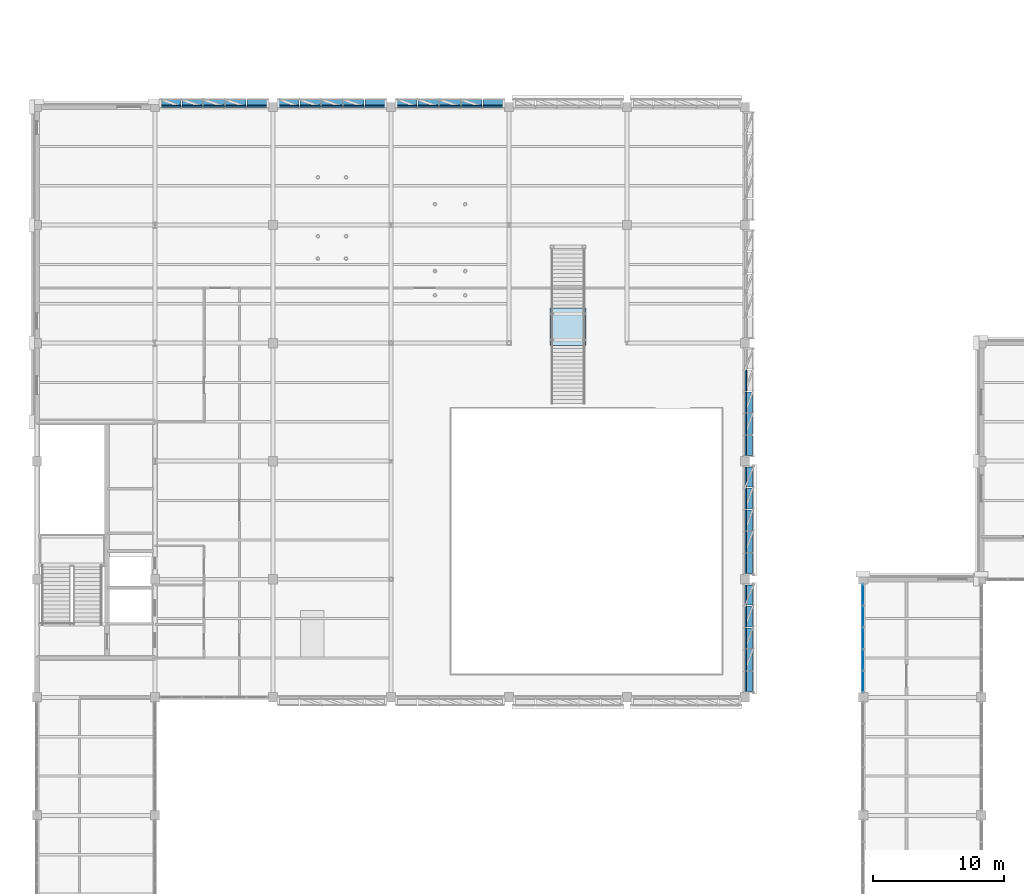
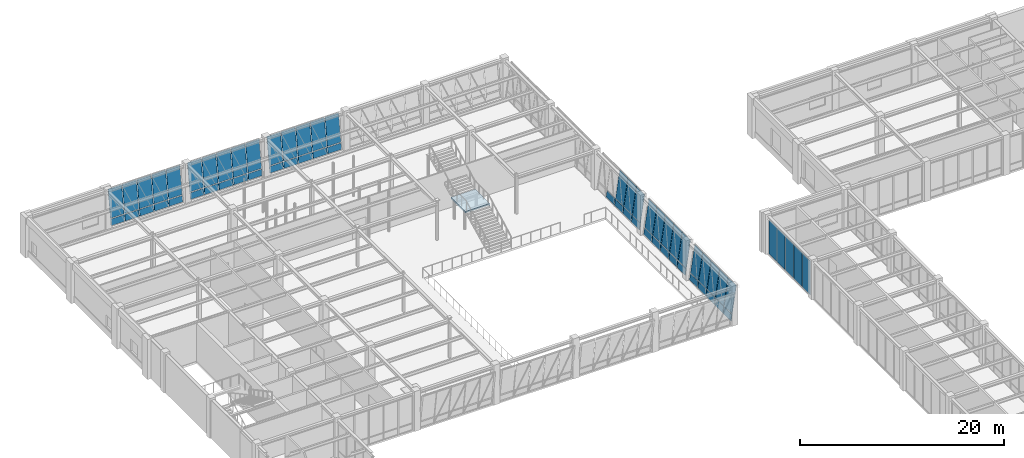
# One storey, part 73 of 92: 62 plates, 1 slab, 8 elements without a shape of their own.
"""IFC4 building model written with IfcOpenShell, lengths in metres."""

import ifcopenshell
import ifcopenshell.guid

model = None  # the IFC model being written
_history = None  # IfcOwnerHistory: only IFC2X3 demands one
_inside = {}  # id of a spatial element -> (the spatial element, [elements in it])
_under = {}  # id of a project, library or spatial element -> (it, [spatial elements below it])
_declared = {}  # id of a project -> (the project, [libraries it declares])
_typed = {}  # id of a type object -> (the type object, [elements of that type])
_made_of = {}  # id of a material, layer set ... -> (it, [elements and type objects made of it])


def new_model(schema):
    """Start an empty IFC model of exactly this schema.

    Asked for "IFC4X3", IfcOpenShell would pick the latest addendum, in which some entities
    have other attributes; the version numbers below select the first issue.
    IFC2X3 requires an IfcOwnerHistory on every rooted entity: one is made here for all.
    """
    global model, _history
    if schema == "IFC4X3":
        model = ifcopenshell.file(schema_version=(4, 3, 0, 0))
    else:
        model = ifcopenshell.file(schema=schema)
    _inside.clear()
    _under.clear()
    _declared.clear()
    _typed.clear()
    _made_of.clear()
    _history = None
    if model.schema == "IFC2X3":
        org = make("IfcOrganization", Name="unknown")
        user = make(
            "IfcPersonAndOrganization",
            ThePerson=make("IfcPerson", FamilyName="unknown"),
            TheOrganization=org,
        )
        app = make(
            "IfcApplication",
            ApplicationDeveloper=org,
            Version="unknown",
            ApplicationFullName="unknown",
            ApplicationIdentifier="unknown",
        )
        _history = make(
            "IfcOwnerHistory",
            OwningUser=user,
            OwningApplication=app,
            ChangeAction="ADDED",
            CreationDate=0,
        )
    return model


def make(cls, **values):
    """One entity of the class cls with the attributes given. An attribute that is None is left unset."""
    return model.create_entity(
        cls, **{name: value for name, value in values.items() if value is not None}
    )


def rooted(cls, **values):
    """An entity with a GlobalId (a new one), such as an element, a storey or a relation."""
    return make(cls, GlobalId=ifcopenshell.guid.new(), OwnerHistory=_history, **values)


def si_unit(unit_type, name, prefix=None):
    """IfcSIUnit, for example si_unit("LENGTHUNIT", "METRE", prefix="MILLI")."""
    return make("IfcSIUnit", UnitType=unit_type, Prefix=prefix, Name=name)


def assignment(units):
    """IfcUnitAssignment: the units of a project."""
    return None if units is None else make("IfcUnitAssignment", Units=units)


def point(xyz):
    """IfcCartesianPoint."""
    return None if xyz is None else make("IfcCartesianPoint", Coordinates=xyz)


def direction(xyz):
    """IfcDirection."""
    return None if xyz is None else make("IfcDirection", DirectionRatios=xyz)


def frame(location, z_axis=None, x_axis=None):
    """IfcAxis2Placement3D, a coordinate frame: its origin and axes. An axis left out is left unset."""
    return make(
        "IfcAxis2Placement3D",
        Location=point(location),
        Axis=direction(z_axis),
        RefDirection=direction(x_axis),
    )


def frame_2d(location, x_axis=None):
    """IfcAxis2Placement2D, a coordinate frame in the plane: its origin and x axis."""
    return make(
        "IfcAxis2Placement2D", Location=point(location), RefDirection=direction(x_axis)
    )


def origin():
    """The frame at (0, 0, 0) with its axes left unset."""
    return frame((0.0, 0.0, 0.0))


def origin_2d():
    """The frame at (0, 0) in the plane with its x axis left unset."""
    return frame_2d((0.0, 0.0))


def place(relative_to, where):
    """IfcLocalPlacement: puts the frame where relative to a parent placement (None: the world)."""
    return make(
        "IfcLocalPlacement", PlacementRelTo=relative_to, RelativePlacement=where
    )


def context(
    kind, dimensions, precision=None, world=None, true_north=None, identifier=None
):
    """IfcGeometricRepresentationContext, for example the 3D "Model" context."""
    return make(
        "IfcGeometricRepresentationContext",
        ContextIdentifier=identifier,
        ContextType=kind,
        CoordinateSpaceDimension=dimensions,
        Precision=precision,
        WorldCoordinateSystem=world,
        TrueNorth=true_north,
    )


def subcontext(parent, identifier, kind, view, scale=None):
    """IfcGeometricRepresentationSubContext, for example "Body" below "Model"."""
    return make(
        "IfcGeometricRepresentationSubContext",
        ContextIdentifier=identifier,
        ContextType=kind,
        ParentContext=parent,
        TargetScale=scale,
        TargetView=view,
    )


def project(units=None, contexts=None):
    """IfcProject with its units and contexts."""
    return rooted(
        "IfcProject",
        Name="project",
        RepresentationContexts=contexts,
        UnitsInContext=assignment(units),
    )


def spatial(cls, under=None, at=None, **own):
    """A site, building, storey or space (cls), placed at a placement, below another one or the project."""
    s = rooted(cls, ObjectPlacement=at, **own)
    if under is not None:
        _under.setdefault(under.id(), (under, []))[1].append(s)
    return s


def polyline(points):
    """IfcPolyline through the points."""
    return make("IfcPolyline", Points=[point(p) for p in points])


def profile(cls, at=None, kind="AREA", **sizes):
    """A parametric profile (cls). Its sizes go by their IFC names, for example OverallWidth=200.0."""
    return make(cls, ProfileType=kind, Position=at, **sizes)


def rectangle(**sizes):
    """IfcRectangleProfileDef."""
    return profile("IfcRectangleProfileDef", **sizes)


def outline(outer, holes=None, kind="AREA"):
    """IfcArbitraryClosedProfileDef: a profile drawn as a closed curve; with holes, ...WithVoids."""
    if holes is None:
        return make("IfcArbitraryClosedProfileDef", ProfileType=kind, OuterCurve=outer)
    return make(
        "IfcArbitraryProfileDefWithVoids",
        ProfileType=kind,
        OuterCurve=outer,
        InnerCurves=holes,
    )


def extrude(swept, where, along, depth):
    """IfcExtrudedAreaSolid: the profile swept, set in the frame where, extruded along a direction by depth."""
    return make(
        "IfcExtrudedAreaSolid",
        SweptArea=swept,
        Position=where,
        ExtrudedDirection=direction(along),
        Depth=depth,
    )


def shape(context_of_items, identifier, shape_type, items):
    """IfcShapeRepresentation: the items that make up one representation, for example the "Body"."""
    return make(
        "IfcShapeRepresentation",
        ContextOfItems=context_of_items,
        RepresentationIdentifier=identifier,
        RepresentationType=shape_type,
        Items=items,
    )


def material(Name=None, Category=None):
    """IfcMaterial."""
    return make("IfcMaterial", Name=Name, Category=Category)


def layer(
    of_material, thickness, ventilated=None, Name=None, Category=None, Priority=None
):
    """IfcMaterialLayer: one layer of a wall or slab, of a material (None: an air gap)."""
    return make(
        "IfcMaterialLayer",
        Material=of_material,
        LayerThickness=thickness,
        IsVentilated=ventilated,
        Name=Name,
        Category=Category,
        Priority=Priority,
    )


def layer_set(layers, Name=None):
    """IfcMaterialLayerSet."""
    return make("IfcMaterialLayerSet", MaterialLayers=layers, LayerSetName=Name)


def made_of(thing, what):
    """Note that an element or type object is made of a material, layer set ...; save() writes the relation."""
    if what is not None:
        _made_of.setdefault(what.id(), (what, []))[1].append(thing)
    return thing


def type_object(cls, material=None, **own):
    """A type object (cls), such as IfcWallType, which elements share."""
    return made_of(rooted(cls, **own), material)


def element(
    cls,
    number,
    at=None,
    inside=None,
    cuts=None,
    type_object=None,
    material=None,
    context=None,
    identifier="Body",
    shape_type=None,
    held_by="IfcProductDefinitionShape",
    body=None,
    shapes=None,
    **own,
):
    """One element of the class cls, such as IfcWall. Its Tag is "e" and its number.

    at: its placement. inside: the storey or other place that contains it. cuts: it is an
    opening in that element (IfcRelVoidsElement). A single representation is given by context,
    identifier, shape_type and body (its items); several are given by shapes. held_by: the class
    of the entity that holds the representations. save() writes the other relations.
    """
    e = rooted(cls, Tag="e%d" % number, ObjectPlacement=at, **own)
    if body is not None:
        shapes = [shape(context, identifier, shape_type, body)]
    if shapes is not None:
        e.Representation = make(held_by, Representations=shapes)
    if inside is not None:
        _inside.setdefault(inside.id(), (inside, []))[1].append(e)
    if cuts is not None:
        rooted(
            "IfcRelVoidsElement", RelatingBuildingElement=cuts, RelatedOpeningElement=e
        )
    if type_object is not None:
        _typed.setdefault(type_object.id(), (type_object, []))[1].append(e)
    return made_of(e, material)


def aggregate(whole, parts):
    """IfcRelAggregates: a whole, such as a stair, and the parts it consists of."""
    return rooted("IfcRelAggregates", RelatingObject=whole, RelatedObjects=parts)


def save(model, path):
    """Write the relations noted so far, then the file.

    IfcRelAggregates (storeys below a building ...), IfcRelContainedInSpatialStructure (elements
    in a storey), IfcRelDefinesByType, IfcRelAssociatesMaterial and IfcRelDeclares: one each for
    every whole, place, type object, material and project.
    """
    for whole, parts in _under.values():
        aggregate(whole, parts)
    for where, things in _inside.values():
        rooted(
            "IfcRelContainedInSpatialStructure",
            RelatedElements=things,
            RelatingStructure=where,
        )
    for kind, things in _typed.values():
        rooted("IfcRelDefinesByType", RelatedObjects=things, RelatingType=kind)
    for what, things in _made_of.values():
        rooted("IfcRelAssociatesMaterial", RelatedObjects=things, RelatingMaterial=what)
    for by, libraries in _declared.values():
        rooted("IfcRelDeclares", RelatingContext=by, RelatedDefinitions=libraries)
    model.write(path)


model = new_model("IFC4")

# Units and contexts
model_context = context("Model", 3, precision=1e-05, world=origin(), true_north=direction((0.0, 1.0)))
body_context = subcontext(model_context, "Body", "Model", "MODEL_VIEW")
ifc_project = project(units=[si_unit("LENGTHUNIT", "METRE"), si_unit("AREAUNIT", "SQUARE_METRE"), si_unit("VOLUMEUNIT", "CUBIC_METRE"), si_unit("PLANEANGLEUNIT", "RADIAN"), si_unit("MASSUNIT", "GRAM", prefix="KILO")], contexts=[model_context])

# Site, building, storey
site_placement = place(None, origin())
site = spatial("IfcSite", under=ifc_project, at=site_placement, CompositionType="ELEMENT")
building_placement = place(site_placement, origin())
building = spatial("IfcBuilding", under=site, at=building_placement, Name="Lykobir Media Centre", CompositionType="ELEMENT")
storey_placement = place(building_placement, frame((0.0, 0.0, 5.39990234375)))
storey = spatial("IfcBuildingStorey", under=building, at=storey_placement, Name="L01", CompositionType="ELEMENT", Elevation=5.39990234375)

# Curtain wall, plates
ifc_material_1 = material(Name="Anodized Aluminium AW-6060", Category="aluminium")
curtain_wall_type_1 = type_object("IfcCurtainWallType", Name="CW-BRIDGE", PredefinedType="NOTDEFINED", material=ifc_material_1)
curtain_wall_1_placement = place(storey_placement, origin())
curtain_wall_1 = element("IfcCurtainWall", 1, at=curtain_wall_1_placement, inside=storey, type_object=curtain_wall_type_1, Name="Curtain wall CW2-L01-0042", PredefinedType="NOTDEFINED")
ifc_material_2 = material(Name="Low-E Laminated Triple Glazing", Category="glass")
ifc_layer_1 = layer(ifc_material_2, 0.0380859375, Name="Low-E Laminated Triple Glazing")
ifc_layer_set_1 = layer_set([ifc_layer_1], Name="Low-E Laminated Triple Glazing")
plate_type_1 = type_object("IfcPlateType", Name="CWP-GLZ-38", PredefinedType="CURTAIN_PANEL", material=ifc_layer_set_1)
plate_1_placement = place(storey_placement, frame((90.0, 64.2001953125, 0.065185546875), z_axis=(0.0, 0.0, 1.0), x_axis=(0.0, 1.0, 0.0)))
plate_1 = element("IfcPlate", 2, at=plate_1_placement, type_object=plate_type_1, Name="CW2-L01-0042 panel 1.1", PredefinedType="CURTAIN_PANEL", context=body_context, shape_type="SweptSolid", body=[
    extrude(rectangle(XDim=1.560546875, YDim=0.0380859375, at=origin_2d()), origin(), (0.0, 0.0, 1.0), 4.06494140625),
])
plate_2_placement = place(storey_placement, frame((90.0, 65.842041015625, 0.065185546875), z_axis=(0.0, 0.0, 1.0), x_axis=(0.0, 1.0, 0.0)))
plate_2 = element("IfcPlate", 3, at=plate_2_placement, type_object=plate_type_1, Name="CW2-L01-0042 panel 2.1", PredefinedType="CURTAIN_PANEL", context=body_context, shape_type="SweptSolid", body=[
    extrude(rectangle(XDim=1.593017578125, YDim=0.0380859375, at=origin_2d()), origin(), (0.0, 0.0, 1.0), 4.06494140625),
])
plate_3_placement = place(storey_placement, frame((90.0, 67.5, 0.065185546875), z_axis=(0.0, 0.0, 1.0), x_axis=(0.0, 1.0, 0.0)))
plate_3 = element("IfcPlate", 4, at=plate_3_placement, type_object=plate_type_1, Name="CW2-L01-0042 panel 3.1", PredefinedType="CURTAIN_PANEL", context=body_context, shape_type="SweptSolid", body=[
    extrude(rectangle(XDim=1.593017578125, YDim=0.0380859375, at=origin_2d()), origin(), (0.0, 0.0, 1.0), 4.06494140625),
])
plate_4_placement = place(storey_placement, frame((90.0, 69.157958984375, 0.065185546875), z_axis=(0.0, 0.0, 1.0), x_axis=(0.0, 1.0, 0.0)))
plate_4 = element("IfcPlate", 5, at=plate_4_placement, type_object=plate_type_1, Name="CW2-L01-0042 panel 4.1", PredefinedType="CURTAIN_PANEL", context=body_context, shape_type="SweptSolid", body=[
    extrude(rectangle(XDim=1.593017578125, YDim=0.0380859375, at=origin_2d()), origin(), (0.0, 0.0, 1.0), 4.06494140625),
])
plate_5_placement = place(storey_placement, frame((90.0, 70.7998046875, 0.065185546875), z_axis=(0.0, 0.0, 1.0), x_axis=(0.0, 1.0, 0.0)))
plate_5 = element("IfcPlate", 6, at=plate_5_placement, type_object=plate_type_1, Name="CW2-L01-0042 panel 5.1", PredefinedType="CURTAIN_PANEL", context=body_context, shape_type="SweptSolid", body=[
    extrude(rectangle(XDim=1.560546875, YDim=0.0380859375, at=origin_2d()), origin(), (0.0, 0.0, 1.0), 4.06494140625),
])
aggregate(curtain_wall_1, [plate_1, plate_2, plate_3, plate_4, plate_5])

curtain_wall_type_2 = type_object("IfcCurtainWallType", Name="CW-V6-CR1", PredefinedType="NOTDEFINED", material=ifc_material_1)
curtain_wall_2_placement = place(storey_placement, origin())
curtain_wall_2 = element("IfcCurtainWall", 7, at=curtain_wall_2_placement, inside=storey, type_object=curtain_wall_type_2, Name="Curtain wall CW2-L01-0058", PredefinedType="NOTDEFINED")
ifc_layer_2 = layer(ifc_material_2, 0.0439453125, Name="Low-E Laminated Triple Glazing")
ifc_layer_set_2 = layer_set([ifc_layer_2], Name="Low-E Laminated Triple Glazing")
plate_type_2 = type_object("IfcPlateType", Name="CWP-GLZ-44", PredefinedType="CURTAIN_PANEL", material=ifc_layer_set_2)
plate_6_placement = place(storey_placement, frame((81.126708984375, 64.20263671875, 0.87841796875), z_axis=(0.142628933706, 0.0, 0.989776230908), x_axis=(0.0, 1.0, 0.0)))
plate_6 = element("IfcPlate", 8, at=plate_6_placement, type_object=plate_type_2, Name="CW2-L01-0058 panel 1.2", PredefinedType="CURTAIN_PANEL", context=body_context, shape_type="SweptSolid", body=[
    extrude(rectangle(XDim=1.54541015625, YDim=0.0439453125, at=origin_2d()), origin(), (0.0, 0.0, 1.0), 3.27587890625),
])
plate_7_placement = place(storey_placement, frame((81.126708984375, 65.842041015625, 0.87841796875), z_axis=(0.142628933706, 0.0, 0.989776230908), x_axis=(0.0, 1.0, 0.0)))
plate_7 = element("IfcPlate", 9, at=plate_7_placement, type_object=plate_type_2, Name="CW2-L01-0058 panel 2.2", PredefinedType="CURTAIN_PANEL", context=body_context, shape_type="SweptSolid", body=[
    extrude(rectangle(XDim=1.5830078125, YDim=0.0439453125, at=origin_2d()), origin(), (0.0, 0.0, 1.0), 3.27587890625),
])
plate_8_placement = place(storey_placement, frame((81.126708984375, 67.5, 0.87841796875), z_axis=(0.142628933706, 0.0, 0.989776230908), x_axis=(0.0, 1.0, 0.0)))
plate_8 = element("IfcPlate", 10, at=plate_8_placement, type_object=plate_type_2, Name="CW2-L01-0058 panel 3.2", PredefinedType="CURTAIN_PANEL", context=body_context, shape_type="SweptSolid", body=[
    extrude(rectangle(XDim=1.5830078125, YDim=0.0439453125, at=origin_2d()), origin(), (0.0, 0.0, 1.0), 3.27587890625),
])
plate_9_placement = place(storey_placement, frame((81.126708984375, 69.157958984375, 0.87841796875), z_axis=(0.142628933706, 0.0, 0.989776230908), x_axis=(0.0, 1.0, 0.0)))
plate_9 = element("IfcPlate", 11, at=plate_9_placement, type_object=plate_type_2, Name="CW2-L01-0058 panel 4.2", PredefinedType="CURTAIN_PANEL", context=body_context, shape_type="SweptSolid", body=[
    extrude(rectangle(XDim=1.5830078125, YDim=0.0439453125, at=origin_2d()), origin(), (0.0, 0.0, 1.0), 3.27587890625),
])
plate_10_placement = place(storey_placement, frame((81.126708984375, 70.797119140625, 0.87841796875), z_axis=(0.142628933706, 0.0, 0.989776230908), x_axis=(0.0, 1.0, 0.0)))
plate_10 = element("IfcPlate", 12, at=plate_10_placement, type_object=plate_type_2, Name="CW2-L01-0058 panel 5.2", PredefinedType="CURTAIN_PANEL", context=body_context, shape_type="SweptSolid", body=[
    extrude(rectangle(XDim=1.54541015625, YDim=0.0439453125, at=origin_2d()), origin(), (0.0, 0.0, 1.0), 3.27587890625),
])

curtain_wall_3_placement = place(storey_placement, origin())
curtain_wall_3 = element("IfcCurtainWall", 13, at=curtain_wall_3_placement, inside=storey, type_object=curtain_wall_type_2, Name="Curtain wall CW2-L01-0059", PredefinedType="NOTDEFINED")
plate_11_placement = place(storey_placement, frame((81.126708984375, 73.202880859375, 0.87841796875), z_axis=(0.142628933706, 0.0, 0.989776230908), x_axis=(0.0, 1.0, 0.0)))
plate_11 = element("IfcPlate", 14, at=plate_11_placement, type_object=plate_type_2, Name="CW2-L01-0059 panel 1.2", PredefinedType="CURTAIN_PANEL", context=body_context, shape_type="SweptSolid", body=[
    extrude(rectangle(XDim=1.54541015625, YDim=0.0439453125, at=origin_2d()), origin(), (0.0, 0.0, 1.0), 3.27587890625),
])
plate_12_placement = place(storey_placement, frame((81.126708984375, 74.842041015625, 0.87841796875), z_axis=(0.142628933706, 0.0, 0.989776230908), x_axis=(0.0, 1.0, 0.0)))
plate_12 = element("IfcPlate", 15, at=plate_12_placement, type_object=plate_type_2, Name="CW2-L01-0059 panel 2.2", PredefinedType="CURTAIN_PANEL", context=body_context, shape_type="SweptSolid", body=[
    extrude(rectangle(XDim=1.5830078125, YDim=0.0439453125, at=origin_2d()), origin(), (0.0, 0.0, 1.0), 3.27587890625),
])
plate_13_placement = place(storey_placement, frame((81.126708984375, 76.5, 0.87841796875), z_axis=(0.142628933706, 0.0, 0.989776230908), x_axis=(0.0, 1.0, 0.0)))
plate_13 = element("IfcPlate", 16, at=plate_13_placement, type_object=plate_type_2, Name="CW2-L01-0059 panel 3.2", PredefinedType="CURTAIN_PANEL", context=body_context, shape_type="SweptSolid", body=[
    extrude(rectangle(XDim=1.5830078125, YDim=0.0439453125, at=origin_2d()), origin(), (0.0, 0.0, 1.0), 3.27587890625),
])
plate_14_placement = place(storey_placement, frame((81.126708984375, 78.157958984375, 0.87841796875), z_axis=(0.142628933706, 0.0, 0.989776230908), x_axis=(0.0, 1.0, 0.0)))
plate_14 = element("IfcPlate", 17, at=plate_14_placement, type_object=plate_type_2, Name="CW2-L01-0059 panel 4.2", PredefinedType="CURTAIN_PANEL", context=body_context, shape_type="SweptSolid", body=[
    extrude(rectangle(XDim=1.5830078125, YDim=0.0439453125, at=origin_2d()), origin(), (0.0, 0.0, 1.0), 3.27587890625),
])
plate_15_placement = place(storey_placement, frame((81.126708984375, 79.797119140625, 0.87841796875), z_axis=(0.142628933706, 0.0, 0.989776230908), x_axis=(0.0, 1.0, 0.0)))
plate_15 = element("IfcPlate", 18, at=plate_15_placement, type_object=plate_type_2, Name="CW2-L01-0059 panel 5.2", PredefinedType="CURTAIN_PANEL", context=body_context, shape_type="SweptSolid", body=[
    extrude(rectangle(XDim=1.54541015625, YDim=0.0439453125, at=origin_2d()), origin(), (0.0, 0.0, 1.0), 3.27587890625),
])

curtain_wall_4_placement = place(storey_placement, origin())
curtain_wall_4 = element("IfcCurtainWall", 19, at=curtain_wall_4_placement, inside=storey, type_object=curtain_wall_type_2, Name="Curtain wall CW2-L01-0060", PredefinedType="NOTDEFINED")
plate_16_placement = place(storey_placement, frame((81.126708984375, 82.202880859375, 0.87841796875), z_axis=(0.142628933706, 0.0, 0.989776230908), x_axis=(0.0, 1.0, 0.0)))
plate_16 = element("IfcPlate", 20, at=plate_16_placement, type_object=plate_type_2, Name="CW2-L01-0060 panel 1.2", PredefinedType="CURTAIN_PANEL", context=body_context, shape_type="SweptSolid", body=[
    extrude(rectangle(XDim=1.54541015625, YDim=0.0439453125, at=origin_2d()), origin(), (0.0, 0.0, 1.0), 3.27587890625),
])
plate_17_placement = place(storey_placement, frame((81.126708984375, 83.842041015625, 0.87841796875), z_axis=(0.142628933706, 0.0, 0.989776230908), x_axis=(0.0, 1.0, 0.0)))
plate_17 = element("IfcPlate", 21, at=plate_17_placement, type_object=plate_type_2, Name="CW2-L01-0060 panel 2.2", PredefinedType="CURTAIN_PANEL", context=body_context, shape_type="SweptSolid", body=[
    extrude(rectangle(XDim=1.5830078125, YDim=0.0439453125, at=origin_2d()), origin(), (0.0, 0.0, 1.0), 3.27587890625),
])
plate_18_placement = place(storey_placement, frame((81.126708984375, 85.5, 0.87841796875), z_axis=(0.142628933706, 0.0, 0.989776230908), x_axis=(0.0, 1.0, 0.0)))
plate_18 = element("IfcPlate", 22, at=plate_18_placement, type_object=plate_type_2, Name="CW2-L01-0060 panel 3.2", PredefinedType="CURTAIN_PANEL", context=body_context, shape_type="SweptSolid", body=[
    extrude(rectangle(XDim=1.5830078125, YDim=0.0439453125, at=origin_2d()), origin(), (0.0, 0.0, 1.0), 3.27587890625),
])

curtain_wall_5_placement = place(storey_placement, origin())
curtain_wall_5 = element("IfcCurtainWall", 23, at=curtain_wall_5_placement, inside=storey, type_object=curtain_wall_type_2, Name="Curtain wall CW2-L01-0063", PredefinedType="NOTDEFINED")
plate_19_placement = place(storey_placement, frame((43.79736328125, 108.126708984375, 0.87841796875), z_axis=(0.0, 0.142628933706, 0.989776230908), x_axis=(-1.0, 0.0, 0.0)))
plate_19 = element("IfcPlate", 24, at=plate_19_placement, type_object=plate_type_2, Name="CW2-L01-0063 panel 1.2", PredefinedType="CURTAIN_PANEL", context=body_context, shape_type="SweptSolid", body=[
    extrude(rectangle(XDim=1.54541015625, YDim=0.0439453125, at=origin_2d()), origin(), (0.0, 0.0, 1.0), 3.27587890625),
])
plate_20_placement = place(storey_placement, frame((42.157958984375, 108.126708984375, 0.87841796875), z_axis=(0.0, 0.142628933706, 0.989776230908), x_axis=(-1.0, 0.0, 0.0)))
plate_20 = element("IfcPlate", 25, at=plate_20_placement, type_object=plate_type_2, Name="CW2-L01-0063 panel 2.2", PredefinedType="CURTAIN_PANEL", context=body_context, shape_type="SweptSolid", body=[
    extrude(rectangle(XDim=1.5830078125, YDim=0.0439453125, at=origin_2d()), origin(), (0.0, 0.0, 1.0), 3.27587890625),
])
plate_21_placement = place(storey_placement, frame((40.5, 108.126708984375, 0.87841796875), z_axis=(0.0, 0.142628933706, 0.989776230908), x_axis=(-1.0, 0.0, 0.0)))
plate_21 = element("IfcPlate", 26, at=plate_21_placement, type_object=plate_type_2, Name="CW2-L01-0063 panel 3.2", PredefinedType="CURTAIN_PANEL", context=body_context, shape_type="SweptSolid", body=[
    extrude(rectangle(XDim=1.5830078125, YDim=0.0439453125, at=origin_2d()), origin(), (0.0, 0.0, 1.0), 3.27587890625),
])
plate_22_placement = place(storey_placement, frame((38.842041015625, 108.126708984375, 0.87841796875), z_axis=(0.0, 0.142628933706, 0.989776230908), x_axis=(-1.0, 0.0, 0.0)))
plate_22 = element("IfcPlate", 27, at=plate_22_placement, type_object=plate_type_2, Name="CW2-L01-0063 panel 4.2", PredefinedType="CURTAIN_PANEL", context=body_context, shape_type="SweptSolid", body=[
    extrude(rectangle(XDim=1.5830078125, YDim=0.0439453125, at=origin_2d()), origin(), (0.0, 0.0, 1.0), 3.27587890625),
])
plate_23_placement = place(storey_placement, frame((37.20263671875, 108.126708984375, 0.87841796875), z_axis=(0.0, 0.142628933706, 0.989776230908), x_axis=(-1.0, 0.0, 0.0)))
plate_23 = element("IfcPlate", 28, at=plate_23_placement, type_object=plate_type_2, Name="CW2-L01-0063 panel 5.2", PredefinedType="CURTAIN_PANEL", context=body_context, shape_type="SweptSolid", body=[
    extrude(rectangle(XDim=1.54541015625, YDim=0.0439453125, at=origin_2d()), origin(), (0.0, 0.0, 1.0), 3.27587890625),
])

curtain_wall_6_placement = place(storey_placement, origin())
curtain_wall_6 = element("IfcCurtainWall", 29, at=curtain_wall_6_placement, inside=storey, type_object=curtain_wall_type_2, Name="Curtain wall CW2-L01-0064", PredefinedType="NOTDEFINED")
plate_24_placement = place(storey_placement, frame((52.79736328125, 108.126708984375, 0.87841796875), z_axis=(0.0, 0.142628933706, 0.989776230908), x_axis=(-1.0, 0.0, 0.0)))
plate_24 = element("IfcPlate", 30, at=plate_24_placement, type_object=plate_type_2, Name="CW2-L01-0064 panel 1.2", PredefinedType="CURTAIN_PANEL", context=body_context, shape_type="SweptSolid", body=[
    extrude(rectangle(XDim=1.54541015625, YDim=0.0439453125, at=origin_2d()), origin(), (0.0, 0.0, 1.0), 3.27587890625),
])
plate_25_placement = place(storey_placement, frame((51.157958984375, 108.126708984375, 0.87841796875), z_axis=(0.0, 0.142628933706, 0.989776230908), x_axis=(-1.0, 0.0, 0.0)))
plate_25 = element("IfcPlate", 31, at=plate_25_placement, type_object=plate_type_2, Name="CW2-L01-0064 panel 2.2", PredefinedType="CURTAIN_PANEL", context=body_context, shape_type="SweptSolid", body=[
    extrude(rectangle(XDim=1.5830078125, YDim=0.0439453125, at=origin_2d()), origin(), (0.0, 0.0, 1.0), 3.27587890625),
])
plate_26_placement = place(storey_placement, frame((49.5, 108.126708984375, 0.87841796875), z_axis=(0.0, 0.142628933706, 0.989776230908), x_axis=(-1.0, 0.0, 0.0)))
plate_26 = element("IfcPlate", 32, at=plate_26_placement, type_object=plate_type_2, Name="CW2-L01-0064 panel 3.2", PredefinedType="CURTAIN_PANEL", context=body_context, shape_type="SweptSolid", body=[
    extrude(rectangle(XDim=1.5830078125, YDim=0.0439453125, at=origin_2d()), origin(), (0.0, 0.0, 1.0), 3.27587890625),
])
plate_27_placement = place(storey_placement, frame((47.842041015625, 108.126708984375, 0.87841796875), z_axis=(0.0, 0.142628933706, 0.989776230908), x_axis=(-1.0, 0.0, 0.0)))
plate_27 = element("IfcPlate", 33, at=plate_27_placement, type_object=plate_type_2, Name="CW2-L01-0064 panel 4.2", PredefinedType="CURTAIN_PANEL", context=body_context, shape_type="SweptSolid", body=[
    extrude(rectangle(XDim=1.5830078125, YDim=0.0439453125, at=origin_2d()), origin(), (0.0, 0.0, 1.0), 3.27587890625),
])
plate_28_placement = place(storey_placement, frame((46.20263671875, 108.126708984375, 0.87841796875), z_axis=(0.0, 0.142628933706, 0.989776230908), x_axis=(-1.0, 0.0, 0.0)))
plate_28 = element("IfcPlate", 34, at=plate_28_placement, type_object=plate_type_2, Name="CW2-L01-0064 panel 5.2", PredefinedType="CURTAIN_PANEL", context=body_context, shape_type="SweptSolid", body=[
    extrude(rectangle(XDim=1.54541015625, YDim=0.0439453125, at=origin_2d()), origin(), (0.0, 0.0, 1.0), 3.27587890625),
])

curtain_wall_7_placement = place(storey_placement, origin())
curtain_wall_7 = element("IfcCurtainWall", 35, at=curtain_wall_7_placement, inside=storey, type_object=curtain_wall_type_2, Name="Curtain wall CW2-L01-0065", PredefinedType="NOTDEFINED")
plate_29_placement = place(storey_placement, frame((61.79736328125, 108.126708984375, 0.87841796875), z_axis=(0.0, 0.142628933706, 0.989776230908), x_axis=(-1.0, 0.0, 0.0)))
plate_29 = element("IfcPlate", 36, at=plate_29_placement, type_object=plate_type_2, Name="CW2-L01-0065 panel 1.2", PredefinedType="CURTAIN_PANEL", context=body_context, shape_type="SweptSolid", body=[
    extrude(rectangle(XDim=1.54541015625, YDim=0.0439453125, at=origin_2d()), origin(), (0.0, 0.0, 1.0), 3.27587890625),
])
plate_30_placement = place(storey_placement, frame((60.157958984375, 108.126708984375, 0.87841796875), z_axis=(0.0, 0.142628933706, 0.989776230908), x_axis=(-1.0, 0.0, 0.0)))
plate_30 = element("IfcPlate", 37, at=plate_30_placement, type_object=plate_type_2, Name="CW2-L01-0065 panel 2.2", PredefinedType="CURTAIN_PANEL", context=body_context, shape_type="SweptSolid", body=[
    extrude(rectangle(XDim=1.5830078125, YDim=0.0439453125, at=origin_2d()), origin(), (0.0, 0.0, 1.0), 3.27587890625),
])
plate_31_placement = place(storey_placement, frame((58.5, 108.126708984375, 0.87841796875), z_axis=(0.0, 0.142628933706, 0.989776230908), x_axis=(-1.0, 0.0, 0.0)))
plate_31 = element("IfcPlate", 38, at=plate_31_placement, type_object=plate_type_2, Name="CW2-L01-0065 panel 3.2", PredefinedType="CURTAIN_PANEL", context=body_context, shape_type="SweptSolid", body=[
    extrude(rectangle(XDim=1.5830078125, YDim=0.0439453125, at=origin_2d()), origin(), (0.0, 0.0, 1.0), 3.27587890625),
])
plate_32_placement = place(storey_placement, frame((56.842041015625, 108.126708984375, 0.87841796875), z_axis=(0.0, 0.142628933706, 0.989776230908), x_axis=(-1.0, 0.0, 0.0)))
plate_32 = element("IfcPlate", 39, at=plate_32_placement, type_object=plate_type_2, Name="CW2-L01-0065 panel 4.2", PredefinedType="CURTAIN_PANEL", context=body_context, shape_type="SweptSolid", body=[
    extrude(rectangle(XDim=1.5830078125, YDim=0.0439453125, at=origin_2d()), origin(), (0.0, 0.0, 1.0), 3.27587890625),
])
plate_33_placement = place(storey_placement, frame((55.20263671875, 108.126708984375, 0.87841796875), z_axis=(0.0, 0.142628933706, 0.989776230908), x_axis=(-1.0, 0.0, 0.0)))
plate_33 = element("IfcPlate", 40, at=plate_33_placement, type_object=plate_type_2, Name="CW2-L01-0065 panel 5.2", PredefinedType="CURTAIN_PANEL", context=body_context, shape_type="SweptSolid", body=[
    extrude(rectangle(XDim=1.54541015625, YDim=0.0439453125, at=origin_2d()), origin(), (0.0, 0.0, 1.0), 3.27587890625),
])

# Plate
ifc_material_3 = material(Name="Glazed Turquoise Terracotta", Category="masonry")
ifc_layer_3 = layer(ifc_material_3, 0.06005859375, Name="Glazed Turquoise Terracotta")
ifc_layer_set_3 = layer_set([ifc_layer_3], Name="Glazed Turquoise Terracotta")
plate_type_3 = type_object("IfcPlateType", Name="CWP-SPN-60", PredefinedType="CURTAIN_PANEL", material=ifc_layer_set_3)
plate_34_placement = place(storey_placement, frame((81.0107421875, 64.20263671875, 0.07421875), z_axis=(0.142628933706, 0.0, 0.989776230908), x_axis=(0.0, 1.0, 0.0)))
plate_34 = element("IfcPlate", 41, at=plate_34_placement, type_object=plate_type_3, Name="CW2-L01-0058 panel 1.1", PredefinedType="CURTAIN_PANEL", context=body_context, shape_type="SweptSolid", body=[
    extrude(rectangle(XDim=1.54541015625, YDim=0.06005859375, at=origin_2d()), origin(), (0.0, 0.0, 1.0), 0.737548828125),
])

plate_35_placement = place(storey_placement, frame((81.0107421875, 65.842041015625, 0.07421875), z_axis=(0.142628933706, 0.0, 0.989776230908), x_axis=(0.0, 1.0, 0.0)))
plate_35 = element("IfcPlate", 42, at=plate_35_placement, type_object=plate_type_3, Name="CW2-L01-0058 panel 2.1", PredefinedType="CURTAIN_PANEL", context=body_context, shape_type="SweptSolid", body=[
    extrude(rectangle(XDim=1.5830078125, YDim=0.06005859375, at=origin_2d()), origin(), (0.0, 0.0, 1.0), 0.737548828125),
])

plate_36_placement = place(storey_placement, frame((81.0107421875, 67.5, 0.07421875), z_axis=(0.142628933706, 0.0, 0.989776230908), x_axis=(0.0, 1.0, 0.0)))
plate_36 = element("IfcPlate", 43, at=plate_36_placement, type_object=plate_type_3, Name="CW2-L01-0058 panel 3.1", PredefinedType="CURTAIN_PANEL", context=body_context, shape_type="SweptSolid", body=[
    extrude(rectangle(XDim=1.5830078125, YDim=0.06005859375, at=origin_2d()), origin(), (0.0, 0.0, 1.0), 0.737548828125),
])

plate_37_placement = place(storey_placement, frame((81.0107421875, 69.157958984375, 0.07421875), z_axis=(0.142628933706, 0.0, 0.989776230908), x_axis=(0.0, 1.0, 0.0)))
plate_37 = element("IfcPlate", 44, at=plate_37_placement, type_object=plate_type_3, Name="CW2-L01-0058 panel 4.1", PredefinedType="CURTAIN_PANEL", context=body_context, shape_type="SweptSolid", body=[
    extrude(rectangle(XDim=1.5830078125, YDim=0.06005859375, at=origin_2d()), origin(), (0.0, 0.0, 1.0), 0.737548828125),
])

plate_38_placement = place(storey_placement, frame((81.0107421875, 70.797119140625, 0.07421875), z_axis=(0.142628933706, 0.0, 0.989776230908), x_axis=(0.0, 1.0, 0.0)))
plate_38 = element("IfcPlate", 45, at=plate_38_placement, type_object=plate_type_3, Name="CW2-L01-0058 panel 5.1", PredefinedType="CURTAIN_PANEL", context=body_context, shape_type="SweptSolid", body=[
    extrude(rectangle(XDim=1.54541015625, YDim=0.06005859375, at=origin_2d()), origin(), (0.0, 0.0, 1.0), 0.737548828125),
])

aggregate(curtain_wall_2, [plate_34, plate_6, plate_35, plate_7, plate_36, plate_8, plate_37, plate_9, plate_38, plate_10])

plate_39_placement = place(storey_placement, frame((81.0107421875, 73.202880859375, 0.07421875), z_axis=(0.142628933706, 0.0, 0.989776230908), x_axis=(0.0, 1.0, 0.0)))
plate_39 = element("IfcPlate", 46, at=plate_39_placement, type_object=plate_type_3, Name="CW2-L01-0059 panel 1.1", PredefinedType="CURTAIN_PANEL", context=body_context, shape_type="SweptSolid", body=[
    extrude(rectangle(XDim=1.54541015625, YDim=0.06005859375, at=origin_2d()), origin(), (0.0, 0.0, 1.0), 0.737548828125),
])

plate_40_placement = place(storey_placement, frame((81.0107421875, 74.842041015625, 0.07421875), z_axis=(0.142628933706, 0.0, 0.989776230908), x_axis=(0.0, 1.0, 0.0)))
plate_40 = element("IfcPlate", 47, at=plate_40_placement, type_object=plate_type_3, Name="CW2-L01-0059 panel 2.1", PredefinedType="CURTAIN_PANEL", context=body_context, shape_type="SweptSolid", body=[
    extrude(rectangle(XDim=1.5830078125, YDim=0.06005859375, at=origin_2d()), origin(), (0.0, 0.0, 1.0), 0.737548828125),
])

plate_41_placement = place(storey_placement, frame((81.0107421875, 76.5, 0.07421875), z_axis=(0.142628933706, 0.0, 0.989776230908), x_axis=(0.0, 1.0, 0.0)))
plate_41 = element("IfcPlate", 48, at=plate_41_placement, type_object=plate_type_3, Name="CW2-L01-0059 panel 3.1", PredefinedType="CURTAIN_PANEL", context=body_context, shape_type="SweptSolid", body=[
    extrude(rectangle(XDim=1.5830078125, YDim=0.06005859375, at=origin_2d()), origin(), (0.0, 0.0, 1.0), 0.737548828125),
])

plate_42_placement = place(storey_placement, frame((81.0107421875, 78.157958984375, 0.07421875), z_axis=(0.142628933706, 0.0, 0.989776230908), x_axis=(0.0, 1.0, 0.0)))
plate_42 = element("IfcPlate", 49, at=plate_42_placement, type_object=plate_type_3, Name="CW2-L01-0059 panel 4.1", PredefinedType="CURTAIN_PANEL", context=body_context, shape_type="SweptSolid", body=[
    extrude(rectangle(XDim=1.5830078125, YDim=0.06005859375, at=origin_2d()), origin(), (0.0, 0.0, 1.0), 0.737548828125),
])

plate_43_placement = place(storey_placement, frame((81.0107421875, 79.797119140625, 0.07421875), z_axis=(0.142628933706, 0.0, 0.989776230908), x_axis=(0.0, 1.0, 0.0)))
plate_43 = element("IfcPlate", 50, at=plate_43_placement, type_object=plate_type_3, Name="CW2-L01-0059 panel 5.1", PredefinedType="CURTAIN_PANEL", context=body_context, shape_type="SweptSolid", body=[
    extrude(rectangle(XDim=1.54541015625, YDim=0.06005859375, at=origin_2d()), origin(), (0.0, 0.0, 1.0), 0.737548828125),
])

aggregate(curtain_wall_3, [plate_39, plate_11, plate_40, plate_12, plate_41, plate_13, plate_42, plate_14, plate_43, plate_15])

plate_44_placement = place(storey_placement, frame((81.0107421875, 82.202880859375, 0.07421875), z_axis=(0.142628933706, 0.0, 0.989776230908), x_axis=(0.0, 1.0, 0.0)))
plate_44 = element("IfcPlate", 51, at=plate_44_placement, type_object=plate_type_3, Name="CW2-L01-0060 panel 1.1", PredefinedType="CURTAIN_PANEL", context=body_context, shape_type="SweptSolid", body=[
    extrude(rectangle(XDim=1.54541015625, YDim=0.06005859375, at=origin_2d()), origin(), (0.0, 0.0, 1.0), 0.737548828125),
])

plate_45_placement = place(storey_placement, frame((81.0107421875, 83.842041015625, 0.07421875), z_axis=(0.142628933706, 0.0, 0.989776230908), x_axis=(0.0, 1.0, 0.0)))
plate_45 = element("IfcPlate", 52, at=plate_45_placement, type_object=plate_type_3, Name="CW2-L01-0060 panel 2.1", PredefinedType="CURTAIN_PANEL", context=body_context, shape_type="SweptSolid", body=[
    extrude(rectangle(XDim=1.5830078125, YDim=0.06005859375, at=origin_2d()), origin(), (0.0, 0.0, 1.0), 0.737548828125),
])

plate_46_placement = place(storey_placement, frame((81.0107421875, 85.5, 0.07421875), z_axis=(0.142628933706, 0.0, 0.989776230908), x_axis=(0.0, 1.0, 0.0)))
plate_46 = element("IfcPlate", 53, at=plate_46_placement, type_object=plate_type_3, Name="CW2-L01-0060 panel 3.1", PredefinedType="CURTAIN_PANEL", context=body_context, shape_type="SweptSolid", body=[
    extrude(rectangle(XDim=1.5830078125, YDim=0.06005859375, at=origin_2d()), origin(), (0.0, 0.0, 1.0), 0.737548828125),
])

plate_47_placement = place(storey_placement, frame((81.0107421875, 87.157958984375, 0.07421875), z_axis=(0.142628933706, 0.0, 0.989776230908), x_axis=(0.0, 1.0, 0.0)))
plate_47 = element("IfcPlate", 54, at=plate_47_placement, type_object=plate_type_3, Name="CW2-L01-0060 panel 4.1", PredefinedType="CURTAIN_PANEL", context=body_context, shape_type="SweptSolid", body=[
    extrude(rectangle(XDim=1.5830078125, YDim=0.06005859375, at=origin_2d()), origin(), (0.0, 0.0, 1.0), 0.737548828125),
])

aggregate(curtain_wall_4, [plate_44, plate_16, plate_45, plate_17, plate_46, plate_18, plate_47])

plate_48_placement = place(storey_placement, frame((43.79736328125, 108.0107421875, 0.07421875), z_axis=(0.0, 0.142628933706, 0.989776230908), x_axis=(-1.0, 0.0, 0.0)))
plate_48 = element("IfcPlate", 55, at=plate_48_placement, type_object=plate_type_3, Name="CW2-L01-0063 panel 1.1", PredefinedType="CURTAIN_PANEL", context=body_context, shape_type="SweptSolid", body=[
    extrude(rectangle(XDim=1.54541015625, YDim=0.06005859375, at=origin_2d()), origin(), (0.0, 0.0, 1.0), 0.737548828125),
])

plate_49_placement = place(storey_placement, frame((42.157958984375, 108.0107421875, 0.07421875), z_axis=(0.0, 0.142628933706, 0.989776230908), x_axis=(-1.0, 0.0, 0.0)))
plate_49 = element("IfcPlate", 56, at=plate_49_placement, type_object=plate_type_3, Name="CW2-L01-0063 panel 2.1", PredefinedType="CURTAIN_PANEL", context=body_context, shape_type="SweptSolid", body=[
    extrude(rectangle(XDim=1.5830078125, YDim=0.06005859375, at=origin_2d()), origin(), (0.0, 0.0, 1.0), 0.737548828125),
])

plate_50_placement = place(storey_placement, frame((40.5, 108.0107421875, 0.07421875), z_axis=(0.0, 0.142628933706, 0.989776230908), x_axis=(-1.0, 0.0, 0.0)))
plate_50 = element("IfcPlate", 57, at=plate_50_placement, type_object=plate_type_3, Name="CW2-L01-0063 panel 3.1", PredefinedType="CURTAIN_PANEL", context=body_context, shape_type="SweptSolid", body=[
    extrude(rectangle(XDim=1.5830078125, YDim=0.06005859375, at=origin_2d()), origin(), (0.0, 0.0, 1.0), 0.737548828125),
])

plate_51_placement = place(storey_placement, frame((38.842041015625, 108.0107421875, 0.07421875), z_axis=(0.0, 0.142628933706, 0.989776230908), x_axis=(-1.0, 0.0, 0.0)))
plate_51 = element("IfcPlate", 58, at=plate_51_placement, type_object=plate_type_3, Name="CW2-L01-0063 panel 4.1", PredefinedType="CURTAIN_PANEL", context=body_context, shape_type="SweptSolid", body=[
    extrude(rectangle(XDim=1.5830078125, YDim=0.06005859375, at=origin_2d()), origin(), (0.0, 0.0, 1.0), 0.737548828125),
])

plate_52_placement = place(storey_placement, frame((37.20263671875, 108.0107421875, 0.07421875), z_axis=(0.0, 0.142628933706, 0.989776230908), x_axis=(-1.0, 0.0, 0.0)))
plate_52 = element("IfcPlate", 59, at=plate_52_placement, type_object=plate_type_3, Name="CW2-L01-0063 panel 5.1", PredefinedType="CURTAIN_PANEL", context=body_context, shape_type="SweptSolid", body=[
    extrude(rectangle(XDim=1.54541015625, YDim=0.06005859375, at=origin_2d()), origin(), (0.0, 0.0, 1.0), 0.737548828125),
])

aggregate(curtain_wall_5, [plate_48, plate_19, plate_49, plate_20, plate_50, plate_21, plate_51, plate_22, plate_52, plate_23])

plate_53_placement = place(storey_placement, frame((52.79736328125, 108.0107421875, 0.07421875), z_axis=(0.0, 0.142628933706, 0.989776230908), x_axis=(-1.0, 0.0, 0.0)))
plate_53 = element("IfcPlate", 60, at=plate_53_placement, type_object=plate_type_3, Name="CW2-L01-0064 panel 1.1", PredefinedType="CURTAIN_PANEL", context=body_context, shape_type="SweptSolid", body=[
    extrude(rectangle(XDim=1.54541015625, YDim=0.06005859375, at=origin_2d()), origin(), (0.0, 0.0, 1.0), 0.737548828125),
])

plate_54_placement = place(storey_placement, frame((51.157958984375, 108.0107421875, 0.07421875), z_axis=(0.0, 0.142628933706, 0.989776230908), x_axis=(-1.0, 0.0, 0.0)))
plate_54 = element("IfcPlate", 61, at=plate_54_placement, type_object=plate_type_3, Name="CW2-L01-0064 panel 2.1", PredefinedType="CURTAIN_PANEL", context=body_context, shape_type="SweptSolid", body=[
    extrude(rectangle(XDim=1.5830078125, YDim=0.06005859375, at=origin_2d()), origin(), (0.0, 0.0, 1.0), 0.737548828125),
])

plate_55_placement = place(storey_placement, frame((49.5, 108.0107421875, 0.07421875), z_axis=(0.0, 0.142628933706, 0.989776230908), x_axis=(-1.0, 0.0, 0.0)))
plate_55 = element("IfcPlate", 62, at=plate_55_placement, type_object=plate_type_3, Name="CW2-L01-0064 panel 3.1", PredefinedType="CURTAIN_PANEL", context=body_context, shape_type="SweptSolid", body=[
    extrude(rectangle(XDim=1.5830078125, YDim=0.06005859375, at=origin_2d()), origin(), (0.0, 0.0, 1.0), 0.737548828125),
])

plate_56_placement = place(storey_placement, frame((47.842041015625, 108.0107421875, 0.07421875), z_axis=(0.0, 0.142628933706, 0.989776230908), x_axis=(-1.0, 0.0, 0.0)))
plate_56 = element("IfcPlate", 63, at=plate_56_placement, type_object=plate_type_3, Name="CW2-L01-0064 panel 4.1", PredefinedType="CURTAIN_PANEL", context=body_context, shape_type="SweptSolid", body=[
    extrude(rectangle(XDim=1.5830078125, YDim=0.06005859375, at=origin_2d()), origin(), (0.0, 0.0, 1.0), 0.737548828125),
])

plate_57_placement = place(storey_placement, frame((46.20263671875, 108.0107421875, 0.07421875), z_axis=(0.0, 0.142628933706, 0.989776230908), x_axis=(-1.0, 0.0, 0.0)))
plate_57 = element("IfcPlate", 64, at=plate_57_placement, type_object=plate_type_3, Name="CW2-L01-0064 panel 5.1", PredefinedType="CURTAIN_PANEL", context=body_context, shape_type="SweptSolid", body=[
    extrude(rectangle(XDim=1.54541015625, YDim=0.06005859375, at=origin_2d()), origin(), (0.0, 0.0, 1.0), 0.737548828125),
])

aggregate(curtain_wall_6, [plate_53, plate_24, plate_54, plate_25, plate_55, plate_26, plate_56, plate_27, plate_57, plate_28])

plate_58_placement = place(storey_placement, frame((61.79736328125, 108.0107421875, 0.07421875), z_axis=(0.0, 0.142628933706, 0.989776230908), x_axis=(-1.0, 0.0, 0.0)))
plate_58 = element("IfcPlate", 65, at=plate_58_placement, type_object=plate_type_3, Name="CW2-L01-0065 panel 1.1", PredefinedType="CURTAIN_PANEL", context=body_context, shape_type="SweptSolid", body=[
    extrude(rectangle(XDim=1.54541015625, YDim=0.06005859375, at=origin_2d()), origin(), (0.0, 0.0, 1.0), 0.737548828125),
])

plate_59_placement = place(storey_placement, frame((60.157958984375, 108.0107421875, 0.07421875), z_axis=(0.0, 0.142628933706, 0.989776230908), x_axis=(-1.0, 0.0, 0.0)))
plate_59 = element("IfcPlate", 66, at=plate_59_placement, type_object=plate_type_3, Name="CW2-L01-0065 panel 2.1", PredefinedType="CURTAIN_PANEL", context=body_context, shape_type="SweptSolid", body=[
    extrude(rectangle(XDim=1.5830078125, YDim=0.06005859375, at=origin_2d()), origin(), (0.0, 0.0, 1.0), 0.737548828125),
])

plate_60_placement = place(storey_placement, frame((58.5, 108.0107421875, 0.07421875), z_axis=(0.0, 0.142628933706, 0.989776230908), x_axis=(-1.0, 0.0, 0.0)))
plate_60 = element("IfcPlate", 67, at=plate_60_placement, type_object=plate_type_3, Name="CW2-L01-0065 panel 3.1", PredefinedType="CURTAIN_PANEL", context=body_context, shape_type="SweptSolid", body=[
    extrude(rectangle(XDim=1.5830078125, YDim=0.06005859375, at=origin_2d()), origin(), (0.0, 0.0, 1.0), 0.737548828125),
])

plate_61_placement = place(storey_placement, frame((56.842041015625, 108.0107421875, 0.07421875), z_axis=(0.0, 0.142628933706, 0.989776230908), x_axis=(-1.0, 0.0, 0.0)))
plate_61 = element("IfcPlate", 68, at=plate_61_placement, type_object=plate_type_3, Name="CW2-L01-0065 panel 4.1", PredefinedType="CURTAIN_PANEL", context=body_context, shape_type="SweptSolid", body=[
    extrude(rectangle(XDim=1.5830078125, YDim=0.06005859375, at=origin_2d()), origin(), (0.0, 0.0, 1.0), 0.737548828125),
])

plate_62_placement = place(storey_placement, frame((55.20263671875, 108.0107421875, 0.07421875), z_axis=(0.0, 0.142628933706, 0.989776230908), x_axis=(-1.0, 0.0, 0.0)))
plate_62 = element("IfcPlate", 69, at=plate_62_placement, type_object=plate_type_3, Name="CW2-L01-0065 panel 5.1", PredefinedType="CURTAIN_PANEL", context=body_context, shape_type="SweptSolid", body=[
    extrude(rectangle(XDim=1.54541015625, YDim=0.06005859375, at=origin_2d()), origin(), (0.0, 0.0, 1.0), 0.737548828125),
])

aggregate(curtain_wall_7, [plate_58, plate_29, plate_59, plate_30, plate_60, plate_31, plate_61, plate_32, plate_62, plate_33])

# Stair, slab
ifc_material_4 = material(Name="Concrete C30/37", Category="concrete")
stair_type = type_object("IfcStairType", Name="ST-VAL-2", PredefinedType="STRAIGHT_RUN_STAIR", material=ifc_material_4)
stair_placement = place(storey_placement, origin())
stair = element("IfcStair", 70, at=stair_placement, inside=storey, type_object=stair_type, Name="Valley terrace feature stair 2", PredefinedType="STRAIGHT_RUN_STAIR")
ifc_layer_4 = layer(ifc_material_4, 0.205078125, Name="Concrete C30/37")
ifc_layer_set_4 = layer_set([ifc_layer_4], Name="Concrete C30/37")
slab_type = type_object("IfcSlabType", Name="SL-205", PredefinedType="LANDING", material=ifc_layer_set_4)
slab_placement = place(storey_placement, frame((0.0, 0.0, 2.195068359375)))
slab = element("IfcSlab", 71, at=slab_placement, type_object=slab_type, Name="ST-VAL-2 landing 1", PredefinedType="LANDING", context=body_context, shape_type="SweptSolid", body=[
    extrude(outline(polyline([(66.125, 89.820068359375), (68.875, 89.820068359375), (68.875, 92.679931640625), (66.125, 92.679931640625), (66.125, 89.820068359375)])), origin(), (0.0, 0.0, 1.0), 0.205078125),
])
aggregate(stair, [slab])

save(model, "model.ifc")
